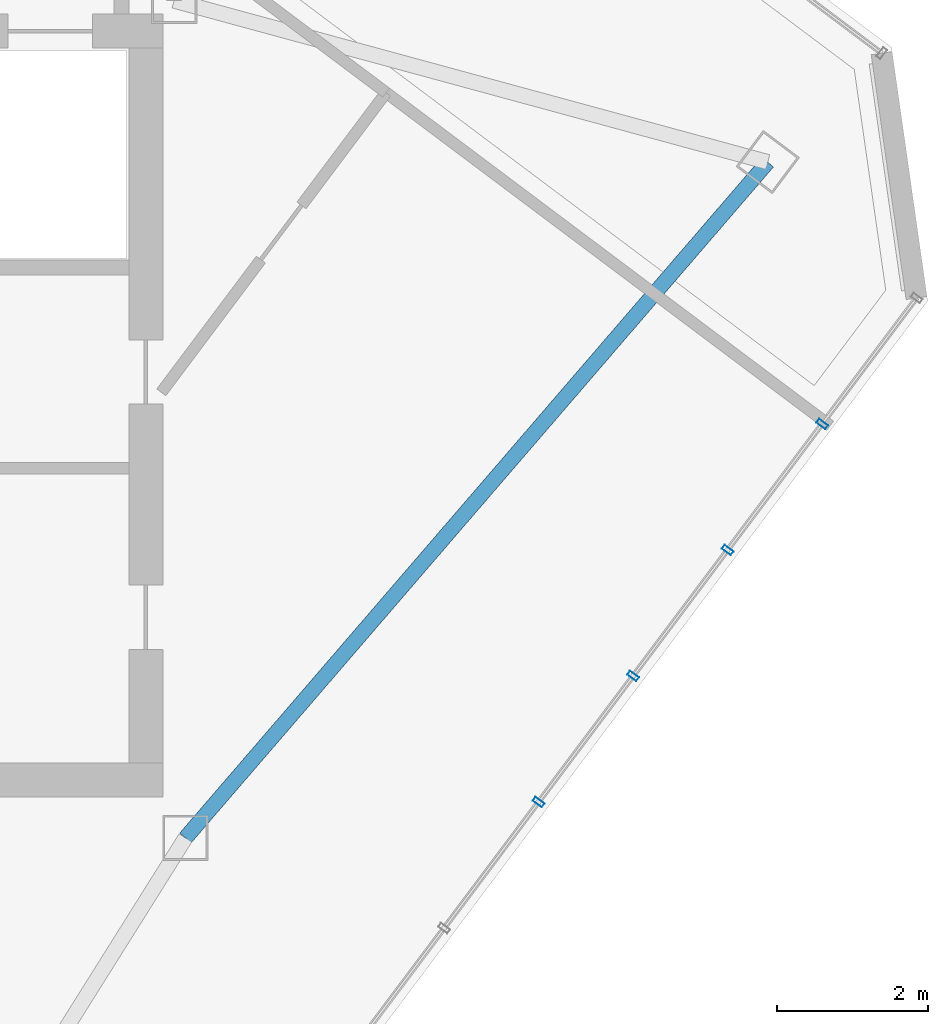
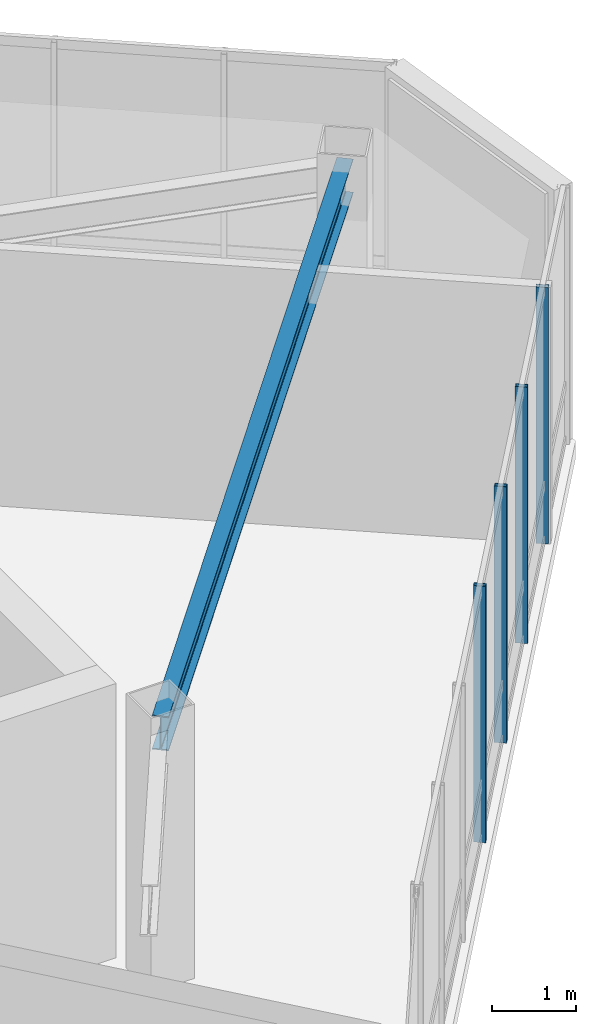
# One storey, part 10 of 29: 4 members, 1 beam, 1 element without a shape of its own.
"""IFC4 building model written with IfcOpenShell, lengths in metres."""

from ifc_helpers import new_model, si_unit, direction, frame, origin, origin_2d, place, context, subcontext, project, spatial, hollow_rectangle, i_section, extrude, material, layer, layer_set, material_profile, profile_set, type_object, element, aggregate, save


model = new_model("IFC4")

# Units and contexts
model_context = context("Model", 3, precision=1e-05, world=origin(), true_north=direction((0.0, 1.0)))
body_context = subcontext(model_context, "Body", "Model", "MODEL_VIEW")
ifc_project = project(units=[si_unit("LENGTHUNIT", "METRE"), si_unit("AREAUNIT", "SQUARE_METRE"), si_unit("VOLUMEUNIT", "CUBIC_METRE"), si_unit("PLANEANGLEUNIT", "RADIAN"), si_unit("MASSUNIT", "GRAM", prefix="KILO")], contexts=[model_context])

# Site, building, storey
site_placement = place(None, origin())
site = spatial("IfcSite", under=ifc_project, at=site_placement, CompositionType="ELEMENT")
building_placement = place(site_placement, origin())
building = spatial("IfcBuilding", under=site, at=building_placement, Name="Hatsunagi Terrace Concourse", CompositionType="ELEMENT")
storey_placement = place(building_placement, frame((0.0, 0.0, 277.949951171875)))
storey = spatial("IfcBuildingStorey", under=building, at=storey_placement, Name="L73", CompositionType="ELEMENT", Elevation=277.949951171875)

# Beam
ifc_material_1 = material(Name="Steel SN490B", Category="steel")
ifc_material_profile_1 = material_profile(ifc_material_1, i_section(OverallWidth=0.199951171875, OverallDepth=0.5, WebThickness=0.010009765625, FlangeThickness=0.01611328125, FilletRadius=0.01611328125, at=origin_2d()), Name="H-500x200x10x16")
ifc_profile_set_1 = profile_set([ifc_material_profile_1], Name="Steel SN490B")
beam_type = type_object("IfcBeamType", Name="CrownFloorGirder_H_500x200", PredefinedType="BEAM", material=ifc_profile_set_1)
beam_placement = place(storey_placement, frame((43.800048828125, 24.199951171875, 3.5), z_axis=(0.652739101421, 0.757582777969, 0.0), x_axis=(-0.757582777969, 0.652739101421, 0.0)))
element("IfcBeam", 1, at=beam_placement, inside=storey, type_object=beam_type, Name="Beam G-07 BM-L73-SET-1B", PredefinedType="BEAM", context=body_context, shape_type="SweptSolid", body=[
    extrude(i_section(OverallWidth=0.199951171875, OverallDepth=0.5, WebThickness=0.010009765625, FlangeThickness=0.01611328125, FilletRadius=0.01611328125, at=origin_2d()), origin(), (0.0, 0.0, 1.0), 11.8271484375),
])

# Curtain wall, members
ifc_material_2 = material(Name="Anodised Aluminium Alloy 6063-T5", Category="aluminium")
ifc_layer = layer(ifc_material_2, 0.199951171875)
ifc_layer_set = layer_set([ifc_layer], Name="CrownWintergarden_CW06")
curtain_wall_type = type_object("IfcCurtainWallType", Name="CrownWintergarden_CW06", PredefinedType="NOTDEFINED", material=ifc_layer_set)
curtain_wall_placement = place(storey_placement, origin())
curtain_wall = element("IfcCurtainWall", 2, at=curtain_wall_placement, inside=storey, type_object=curtain_wall_type, Name="Unitised Curtain Wall CW-06 CW-L73-03", PredefinedType="NOTDEFINED")
ifc_material_3 = material(Name="Anodised Aluminium Alloy 6063-T5", Category="aluminium")
ifc_material_profile_2 = material_profile(ifc_material_3, hollow_rectangle(XDim=0.06494140625, YDim=0.14990234375, WallThickness=0.00390625, at=origin_2d()), Name="ALU-MUL-150x65x4")
ifc_profile_set_2 = profile_set([ifc_material_profile_2], Name="Anodised Aluminium Alloy 6063-T5")
member_type = type_object("IfcMemberType", Name="CurtainWallMullion_Crown_150x65", PredefinedType="MULLION", material=ifc_profile_set_2)
member_1_placement = place(storey_placement, frame((52.239990234375, 29.68701171875, 0.0), z_axis=(0.0, 0.0, 1.0), x_axis=(-0.599969314634, -0.800023013105, 0.0)))
member_1 = element("IfcMember", 3, at=member_1_placement, type_object=member_type, Name="Curtain Wall Mullion MUL-03", PredefinedType="MULLION", context=body_context, shape_type="SweptSolid", body=[
    extrude(hollow_rectangle(XDim=0.06494140625, YDim=0.14990234375, WallThickness=0.00390625, at=origin_2d()), origin(), (0.0, 0.0, 1.0), 3.739990234375),
])
member_2_placement = place(storey_placement, frame((50.987060546875, 28.01611328125, 0.0), z_axis=(0.0, 0.0, 1.0), x_axis=(-0.599969314634, -0.800023013105, 0.0)))
member_2 = element("IfcMember", 4, at=member_2_placement, type_object=member_type, Name="Curtain Wall Mullion MUL-03", PredefinedType="MULLION", context=body_context, shape_type="SweptSolid", body=[
    extrude(hollow_rectangle(XDim=0.06494140625, YDim=0.14990234375, WallThickness=0.00390625, at=origin_2d()), origin(), (0.0, 0.0, 1.0), 3.739990234375),
])
member_3_placement = place(storey_placement, frame((49.73388671875, 26.345947265625, 0.0), z_axis=(0.0, 0.0, 1.0), x_axis=(-0.599969314634, -0.800023013105, 0.0)))
member_3 = element("IfcMember", 5, at=member_3_placement, type_object=member_type, Name="Curtain Wall Mullion MUL-03", PredefinedType="MULLION", context=body_context, shape_type="SweptSolid", body=[
    extrude(hollow_rectangle(XDim=0.06494140625, YDim=0.14990234375, WallThickness=0.00390625, at=origin_2d()), origin(), (0.0, 0.0, 1.0), 3.739990234375),
])
member_4_placement = place(storey_placement, frame((48.48095703125, 24.675048828125, 0.0), z_axis=(0.0, 0.0, 1.0), x_axis=(-0.599969314634, -0.800023013105, 0.0)))
member_4 = element("IfcMember", 6, at=member_4_placement, type_object=member_type, Name="Curtain Wall Mullion MUL-03", PredefinedType="MULLION", context=body_context, shape_type="SweptSolid", body=[
    extrude(hollow_rectangle(XDim=0.06494140625, YDim=0.14990234375, WallThickness=0.00390625, at=origin_2d()), origin(), (0.0, 0.0, 1.0), 3.739990234375),
])
aggregate(curtain_wall, [member_1, member_2, member_3, member_4])

save(model, "model.ifc")
